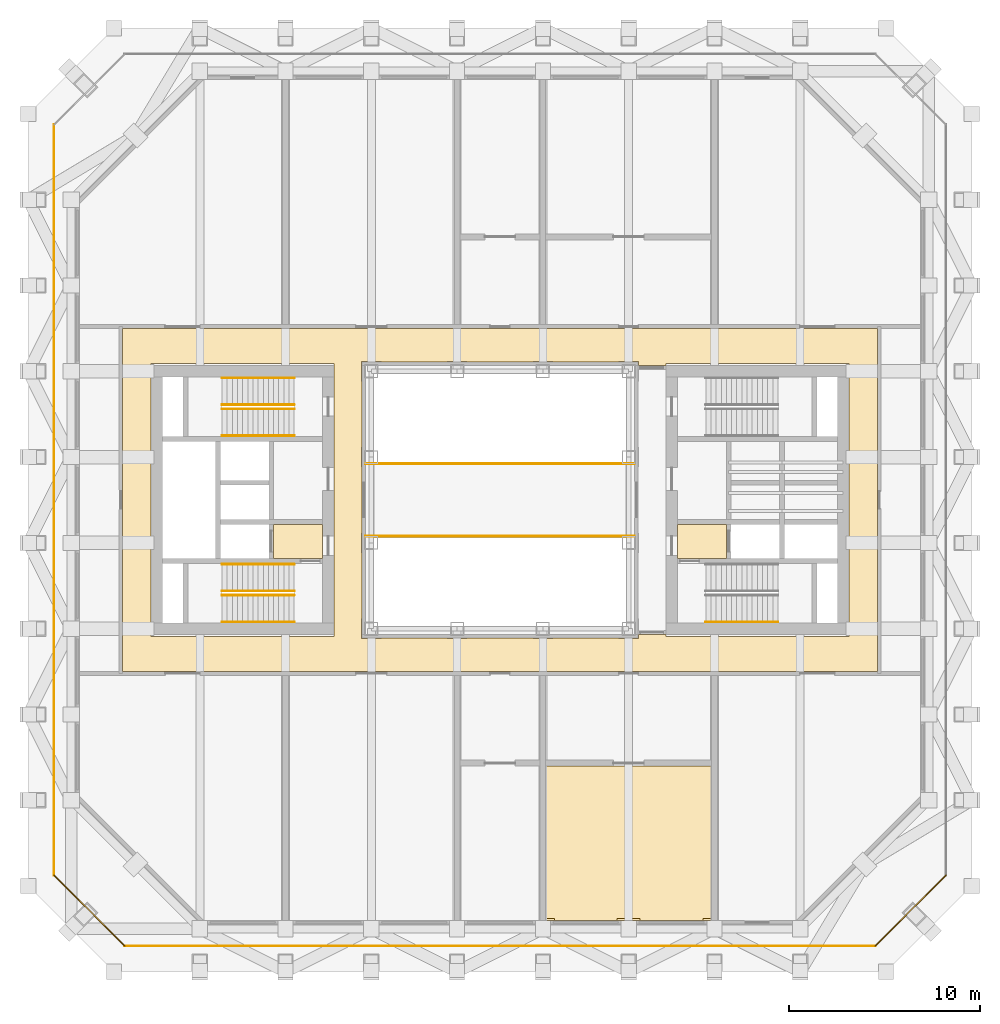
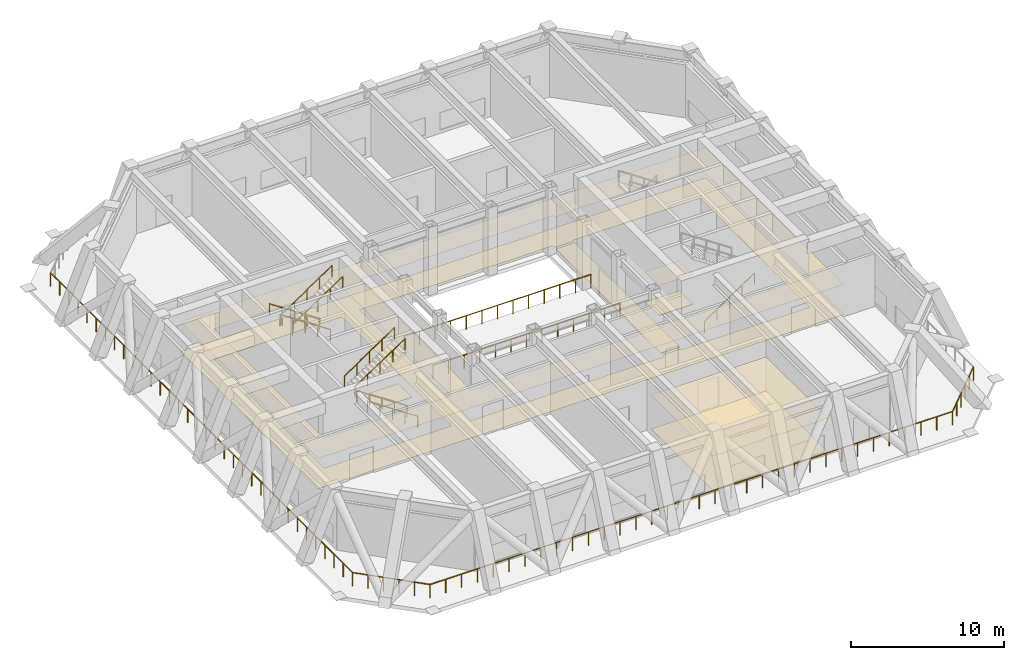
# One storey, part 8 of 9: 15 railings, 4 coverings.
"""IFC4 building model written with IfcOpenShell, lengths in metres."""

import ifcopenshell
import ifcopenshell.guid

model = None  # the IFC model being written
_history = None  # IfcOwnerHistory: only IFC2X3 demands one
_inside = {}  # id of a spatial element -> (the spatial element, [elements in it])
_under = {}  # id of a project, library or spatial element -> (it, [spatial elements below it])
_declared = {}  # id of a project -> (the project, [libraries it declares])
_typed = {}  # id of a type object -> (the type object, [elements of that type])
_made_of = {}  # id of a material, layer set ... -> (it, [elements and type objects made of it])


def new_model(schema):
    """Start an empty IFC model of exactly this schema.

    Asked for "IFC4X3", IfcOpenShell would pick the latest addendum, in which some entities
    have other attributes; the version numbers below select the first issue.
    IFC2X3 requires an IfcOwnerHistory on every rooted entity: one is made here for all.
    """
    global model, _history
    if schema == "IFC4X3":
        model = ifcopenshell.file(schema_version=(4, 3, 0, 0))
    else:
        model = ifcopenshell.file(schema=schema)
    _inside.clear()
    _under.clear()
    _declared.clear()
    _typed.clear()
    _made_of.clear()
    _history = None
    if model.schema == "IFC2X3":
        org = make("IfcOrganization", Name="unknown")
        user = make(
            "IfcPersonAndOrganization",
            ThePerson=make("IfcPerson", FamilyName="unknown"),
            TheOrganization=org,
        )
        app = make(
            "IfcApplication",
            ApplicationDeveloper=org,
            Version="unknown",
            ApplicationFullName="unknown",
            ApplicationIdentifier="unknown",
        )
        _history = make(
            "IfcOwnerHistory",
            OwningUser=user,
            OwningApplication=app,
            ChangeAction="ADDED",
            CreationDate=0,
        )
    return model


def make(cls, **values):
    """One entity of the class cls with the attributes given. An attribute that is None is left unset."""
    return model.create_entity(
        cls, **{name: value for name, value in values.items() if value is not None}
    )


def rooted(cls, **values):
    """An entity with a GlobalId (a new one), such as an element, a storey or a relation."""
    return make(cls, GlobalId=ifcopenshell.guid.new(), OwnerHistory=_history, **values)


def si_unit(unit_type, name, prefix=None):
    """IfcSIUnit, for example si_unit("LENGTHUNIT", "METRE", prefix="MILLI")."""
    return make("IfcSIUnit", UnitType=unit_type, Prefix=prefix, Name=name)


def assignment(units):
    """IfcUnitAssignment: the units of a project."""
    return None if units is None else make("IfcUnitAssignment", Units=units)


def point(xyz):
    """IfcCartesianPoint."""
    return None if xyz is None else make("IfcCartesianPoint", Coordinates=xyz)


def direction(xyz):
    """IfcDirection."""
    return None if xyz is None else make("IfcDirection", DirectionRatios=xyz)


def frame(location, z_axis=None, x_axis=None):
    """IfcAxis2Placement3D, a coordinate frame: its origin and axes. An axis left out is left unset."""
    return make(
        "IfcAxis2Placement3D",
        Location=point(location),
        Axis=direction(z_axis),
        RefDirection=direction(x_axis),
    )


def frame_2d(location, x_axis=None):
    """IfcAxis2Placement2D, a coordinate frame in the plane: its origin and x axis."""
    return make(
        "IfcAxis2Placement2D", Location=point(location), RefDirection=direction(x_axis)
    )


def origin():
    """The frame at (0, 0, 0) with its axes left unset."""
    return frame((0.0, 0.0, 0.0))


def origin_2d():
    """The frame at (0, 0) in the plane with its x axis left unset."""
    return frame_2d((0.0, 0.0))


def place(relative_to, where):
    """IfcLocalPlacement: puts the frame where relative to a parent placement (None: the world)."""
    return make(
        "IfcLocalPlacement", PlacementRelTo=relative_to, RelativePlacement=where
    )


def context(
    kind, dimensions, precision=None, world=None, true_north=None, identifier=None
):
    """IfcGeometricRepresentationContext, for example the 3D "Model" context."""
    return make(
        "IfcGeometricRepresentationContext",
        ContextIdentifier=identifier,
        ContextType=kind,
        CoordinateSpaceDimension=dimensions,
        Precision=precision,
        WorldCoordinateSystem=world,
        TrueNorth=true_north,
    )


def subcontext(parent, identifier, kind, view, scale=None):
    """IfcGeometricRepresentationSubContext, for example "Body" below "Model"."""
    return make(
        "IfcGeometricRepresentationSubContext",
        ContextIdentifier=identifier,
        ContextType=kind,
        ParentContext=parent,
        TargetScale=scale,
        TargetView=view,
    )


def project(units=None, contexts=None):
    """IfcProject with its units and contexts."""
    return rooted(
        "IfcProject",
        Name="project",
        RepresentationContexts=contexts,
        UnitsInContext=assignment(units),
    )


def spatial(cls, under=None, at=None, **own):
    """A site, building, storey or space (cls), placed at a placement, below another one or the project."""
    s = rooted(cls, ObjectPlacement=at, **own)
    if under is not None:
        _under.setdefault(under.id(), (under, []))[1].append(s)
    return s


def point_list(points):
    """IfcCartesianPointList2D or 3D."""
    cls = (
        "IfcCartesianPointList2D" if len(points[0]) == 2 else "IfcCartesianPointList3D"
    )
    return make(cls, CoordList=points)


def line(*indices):
    """IfcLineIndex: a straight run through numbered points of an indexed curve."""
    return model.create_entity("IfcLineIndex", indices)


def indexed_curve(points, segments=None, self_intersect=None):
    """IfcIndexedPolyCurve: lines and arcs through numbered points (the first is 1)."""
    return make(
        "IfcIndexedPolyCurve",
        Points=point_list(points),
        Segments=segments,
        SelfIntersect=self_intersect,
    )


def profile(cls, at=None, kind="AREA", **sizes):
    """A parametric profile (cls). Its sizes go by their IFC names, for example OverallWidth=200.0."""
    return make(cls, ProfileType=kind, Position=at, **sizes)


def circle(**sizes):
    """IfcCircleProfileDef."""
    return profile("IfcCircleProfileDef", **sizes)


def outline(outer, holes=None, kind="AREA"):
    """IfcArbitraryClosedProfileDef: a profile drawn as a closed curve; with holes, ...WithVoids."""
    if holes is None:
        return make("IfcArbitraryClosedProfileDef", ProfileType=kind, OuterCurve=outer)
    return make(
        "IfcArbitraryProfileDefWithVoids",
        ProfileType=kind,
        OuterCurve=outer,
        InnerCurves=holes,
    )


def extrude(swept, where, along, depth):
    """IfcExtrudedAreaSolid: the profile swept, set in the frame where, extruded along a direction by depth."""
    return make(
        "IfcExtrudedAreaSolid",
        SweptArea=swept,
        Position=where,
        ExtrudedDirection=direction(along),
        Depth=depth,
    )


def shape(context_of_items, identifier, shape_type, items):
    """IfcShapeRepresentation: the items that make up one representation, for example the "Body"."""
    return make(
        "IfcShapeRepresentation",
        ContextOfItems=context_of_items,
        RepresentationIdentifier=identifier,
        RepresentationType=shape_type,
        Items=items,
    )


def material(Name=None, Category=None):
    """IfcMaterial."""
    return make("IfcMaterial", Name=Name, Category=Category)


def layer(
    of_material, thickness, ventilated=None, Name=None, Category=None, Priority=None
):
    """IfcMaterialLayer: one layer of a wall or slab, of a material (None: an air gap)."""
    return make(
        "IfcMaterialLayer",
        Material=of_material,
        LayerThickness=thickness,
        IsVentilated=ventilated,
        Name=Name,
        Category=Category,
        Priority=Priority,
    )


def layer_set(layers, Name=None):
    """IfcMaterialLayerSet."""
    return make("IfcMaterialLayerSet", MaterialLayers=layers, LayerSetName=Name)


def made_of(thing, what):
    """Note that an element or type object is made of a material, layer set ...; save() writes the relation."""
    if what is not None:
        _made_of.setdefault(what.id(), (what, []))[1].append(thing)
    return thing


def type_object(cls, material=None, **own):
    """A type object (cls), such as IfcWallType, which elements share."""
    return made_of(rooted(cls, **own), material)


def element(
    cls,
    number,
    at=None,
    inside=None,
    cuts=None,
    type_object=None,
    material=None,
    context=None,
    identifier="Body",
    shape_type=None,
    held_by="IfcProductDefinitionShape",
    body=None,
    shapes=None,
    **own,
):
    """One element of the class cls, such as IfcWall. Its Tag is "e" and its number.

    at: its placement. inside: the storey or other place that contains it. cuts: it is an
    opening in that element (IfcRelVoidsElement). A single representation is given by context,
    identifier, shape_type and body (its items); several are given by shapes. held_by: the class
    of the entity that holds the representations. save() writes the other relations.
    """
    e = rooted(cls, Tag="e%d" % number, ObjectPlacement=at, **own)
    if body is not None:
        shapes = [shape(context, identifier, shape_type, body)]
    if shapes is not None:
        e.Representation = make(held_by, Representations=shapes)
    if inside is not None:
        _inside.setdefault(inside.id(), (inside, []))[1].append(e)
    if cuts is not None:
        rooted(
            "IfcRelVoidsElement", RelatingBuildingElement=cuts, RelatedOpeningElement=e
        )
    if type_object is not None:
        _typed.setdefault(type_object.id(), (type_object, []))[1].append(e)
    return made_of(e, material)


def aggregate(whole, parts):
    """IfcRelAggregates: a whole, such as a stair, and the parts it consists of."""
    return rooted("IfcRelAggregates", RelatingObject=whole, RelatedObjects=parts)


def save(model, path):
    """Write the relations noted so far, then the file.

    IfcRelAggregates (storeys below a building ...), IfcRelContainedInSpatialStructure (elements
    in a storey), IfcRelDefinesByType, IfcRelAssociatesMaterial and IfcRelDeclares: one each for
    every whole, place, type object, material and project.
    """
    for whole, parts in _under.values():
        aggregate(whole, parts)
    for where, things in _inside.values():
        rooted(
            "IfcRelContainedInSpatialStructure",
            RelatedElements=things,
            RelatingStructure=where,
        )
    for kind, things in _typed.values():
        rooted("IfcRelDefinesByType", RelatedObjects=things, RelatingType=kind)
    for what, things in _made_of.values():
        rooted("IfcRelAssociatesMaterial", RelatedObjects=things, RelatingMaterial=what)
    for by, libraries in _declared.values():
        rooted("IfcRelDeclares", RelatingContext=by, RelatedDefinitions=libraries)
    model.write(path)


model = new_model("IFC4")

# Units and contexts
model_context = context("Model", 3, precision=1e-05, world=origin(), true_north=direction((0.0, 1.0)))
body_context = subcontext(model_context, "Body", "Model", "MODEL_VIEW")
ifc_project = project(units=[si_unit("LENGTHUNIT", "METRE"), si_unit("AREAUNIT", "SQUARE_METRE"), si_unit("VOLUMEUNIT", "CUBIC_METRE"), si_unit("PLANEANGLEUNIT", "RADIAN"), si_unit("MASSUNIT", "GRAM", prefix="KILO")], contexts=[model_context])

# Site, building, storey
site_placement = place(None, origin())
site = spatial("IfcSite", under=ifc_project, at=site_placement, CompositionType="ELEMENT")
building_placement = place(site_placement, origin())
building = spatial("IfcBuilding", under=site, at=building_placement, Name="Msasa Ring Tower", CompositionType="ELEMENT")
storey_placement = place(building_placement, frame((0.0, 0.0, 107.0)))
storey = spatial("IfcBuildingStorey", under=building, at=storey_placement, Name="L28", CompositionType="ELEMENT", Elevation=107.0)

# Coverings
ifc_material_1 = material(Name="Gypsum plasterboard on a steel suspension grid", Category="steel")
ifc_layer_1 = layer(ifc_material_1, 0.014892578125)
ifc_layer_set_1 = layer_set([ifc_layer_1], Name="C1 SUSPENDED PLASTERBOARD CEILING 15")
covering_type_1 = type_object("IfcCoveringType", Name="C1 SUSPENDED PLASTERBOARD CEILING 15", PredefinedType="CEILING", material=ifc_layer_set_1)
covering_1_placement = place(storey_placement, frame((0.0, 0.0, 2.39990234375)))
element("IfcCovering", 1, at=covering_1_placement, inside=storey, type_object=covering_type_1, Name="Suspended Plasterboard Ceiling 15 circulation L28", PredefinedType="CEILING", context=body_context, shape_type="SweptSolid", body=[
    extrude(outline(indexed_curve([(-19.799560546875, -8.99951171875), (-19.799560546875, 8.99951171875), (19.799560546875, 8.99951171875), (19.799560546875, -8.99951171875)], segments=[line(1, 2, 3, 4, 1)], self_intersect=False), holes=[indexed_curve([(8.699462890625, 7.050537109375), (7.275390625, 7.050537109375), (7.275390625, 7.275390625), (6.224609375, 7.275390625), (6.224609375, 7.25048828125), (2.775390625, 7.25048828125), (2.775390625, 7.275390625), (1.724609375, 7.275390625), (1.724609375, 7.25048828125), (-1.724609375, 7.25048828125), (-1.724609375, 7.275390625), (-2.775390625, 7.275390625), (-2.775390625, 7.25048828125), (-6.224609375, 7.25048828125), (-6.224609375, 7.275390625), (-7.275390625, 7.275390625), (-7.275390625, 6.224609375), (-7.25048828125, 6.224609375), (-7.25048828125, 2.775390625), (-7.275390625, 2.775390625), (-7.275390625, 1.724609375), (-7.25048828125, 1.724609375), (-7.25048828125, -1.724609375), (-7.275390625, -1.724609375), (-7.275390625, -2.775390625), (-7.25048828125, -2.775390625), (-7.25048828125, -6.224609375), (-7.275390625, -6.224609375), (-7.275390625, -7.275390625), (-6.224609375, -7.275390625), (-6.224609375, -7.25048828125), (-2.775390625, -7.25048828125), (-2.775390625, -7.275390625), (-1.724609375, -7.275390625), (-1.724609375, -7.25048828125), (1.724609375, -7.25048828125), (1.724609375, -7.275390625), (2.775390625, -7.275390625), (2.775390625, -7.25048828125), (6.224609375, -7.25048828125), (6.224609375, -7.275390625), (7.275390625, -7.275390625), (7.275390625, -7.050537109375), (8.699462890625, -7.050537109375), (8.699462890625, -7.150390625), (18.300537109375, -7.150390625), (18.300537109375, 7.150390625), (8.699462890625, 7.150390625)], segments=[line(1, 2, 3, 4, 5, 6, 7, 8, 9, 10, 11, 12, 13, 14, 15, 16, 17, 18, 19, 20, 21, 22, 23, 24, 25, 26, 27, 28, 29, 30, 31, 32, 33, 34, 35, 36, 37, 38, 39, 40, 41, 42, 43, 44, 45, 46, 47, 48, 1)], self_intersect=False), indexed_curve([(-18.300537109375, 7.150390625), (-18.300537109375, -7.150390625), (-8.699462890625, -7.150390625), (-8.699462890625, 7.150390625)], segments=[line(1, 2, 3, 4, 1)], self_intersect=False)]), origin(), (0.0, 0.0, 1.0), 0.01513671875),
    extrude(outline(indexed_curve([(-9.300537109375, -1.275390625), (-9.300537109375, -3.074462890625), (-11.87451171875, -3.074462890625), (-11.87451171875, -1.275390625)], segments=[line(1, 2, 3, 4, 1)], self_intersect=False)), origin(), (0.0, 0.0, 1.0), 0.01513671875),
    extrude(outline(indexed_curve([(11.87451171875, -3.074462890625), (9.300537109375, -3.074462890625), (9.300537109375, -1.275390625), (11.87451171875, -1.275390625)], segments=[line(1, 2, 3, 4, 1)], self_intersect=False)), origin(), (0.0, 0.0, 1.0), 0.01513671875),
])
covering_2_placement = place(storey_placement, frame((0.0, 0.0, 2.699951171875)))
element("IfcCovering", 2, at=covering_2_placement, inside=storey, type_object=covering_type_1, Name="Suspended Plasterboard Ceiling 15 L28", PredefinedType="CEILING", context=body_context, shape_type="SweptSolid", body=[
    extrude(outline(indexed_curve([(11.089599609375, -13.96044921875), (11.089599609375, -21.963623046875), (10.6494140625, -21.963623046875), (10.6494140625, -22.049560546875), (7.3505859375, -22.049560546875), (7.3505859375, -21.963623046875), (6.1494140625, -21.963623046875), (6.1494140625, -22.049560546875), (2.8505859375, -22.049560546875), (2.8505859375, -21.963623046875), (2.410400390625, -21.963623046875), (2.410400390625, -13.96044921875)], segments=[line(1, 2, 3, 4, 5, 6, 7, 8, 9, 10, 11, 12, 1)], self_intersect=False)), origin(), (0.0, 0.0, 1.0), 0.01513671875),
])
ifc_material_2 = material(Name="Honed granite tiles on a mortar bed", Category="masonry")
ifc_layer_2 = layer(ifc_material_2, 0.030029296875)
ifc_layer_set_2 = layer_set([ifc_layer_2], Name="F1 HONED GRANITE ON BEDDING 30")
covering_type_2 = type_object("IfcCoveringType", Name="F1 HONED GRANITE ON BEDDING 30", PredefinedType="FLOORING", material=ifc_layer_set_2)
covering_3_placement = place(storey_placement, origin())
element("IfcCovering", 3, at=covering_3_placement, inside=storey, type_object=covering_type_2, Name="Honed Granite On Bedding 30 L28", PredefinedType="FLOORING", context=body_context, shape_type="SweptSolid", body=[
    extrude(outline(indexed_curve([(-9.300537109375, -3.074462890625), (-11.87451171875, -3.074462890625), (-11.87451171875, -1.275390625), (-9.300537109375, -1.275390625)], segments=[line(1, 2, 3, 4, 1)], self_intersect=False)), origin(), (0.0, 0.0, 1.0), 0.030029296875),
    extrude(outline(indexed_curve([(7.275390625, -6.849609375), (7.275390625, -6.224609375), (7.25048828125, -6.224609375), (7.25048828125, -2.775390625), (7.275390625, -2.775390625), (7.275390625, -1.724609375), (7.25048828125, -1.724609375), (7.25048828125, 1.724609375), (7.275390625, 1.724609375), (7.275390625, 2.775390625), (7.25048828125, 2.775390625), (7.25048828125, 6.224609375), (7.275390625, 6.224609375), (7.275390625, 6.849609375), (8.699462890625, 6.849609375), (8.699462890625, -6.849609375)], segments=[line(1, 2, 3, 4, 5, 6, 7, 8, 9, 10, 11, 12, 13, 14, 15, 16, 1)], self_intersect=False)), origin(), (0.0, 0.0, 1.0), 0.030029296875),
    extrude(outline(indexed_curve([(9.300537109375, -3.074462890625), (9.300537109375, -1.275390625), (11.87451171875, -1.275390625), (11.87451171875, -3.074462890625)], segments=[line(1, 2, 3, 4, 1)], self_intersect=False)), origin(), (0.0, 0.0, 1.0), 0.030029296875),
])
ifc_material_3 = material(Name="Wool-blend carpet on felt underlay", Category="textile")
ifc_layer_3 = layer(ifc_material_3, 0.011962890625)
ifc_layer_set_3 = layer_set([ifc_layer_3], Name="F2 CARPET ON UNDERLAY 12")
covering_type_3 = type_object("IfcCoveringType", Name="F2 CARPET ON UNDERLAY 12", PredefinedType="FLOORING", material=ifc_layer_set_3)
covering_4_placement = place(storey_placement, origin())
element("IfcCovering", 4, at=covering_4_placement, inside=storey, type_object=covering_type_3, Name="Carpet On Underlay 12 L28", PredefinedType="FLOORING", context=body_context, shape_type="SweptSolid", body=[
    extrude(outline(indexed_curve([(-19.799560546875, -8.99951171875), (-19.799560546875, 8.99951171875), (19.799560546875, 8.99951171875), (19.799560546875, -8.99951171875)], segments=[line(1, 2, 3, 4, 1)], self_intersect=False), holes=[indexed_curve([(8.699462890625, 7.050537109375), (7.275390625, 7.050537109375), (7.275390625, 7.275390625), (6.224609375, 7.275390625), (6.224609375, 7.25048828125), (2.775390625, 7.25048828125), (2.775390625, 7.275390625), (1.724609375, 7.275390625), (1.724609375, 7.25048828125), (-1.724609375, 7.25048828125), (-1.724609375, 7.275390625), (-2.775390625, 7.275390625), (-2.775390625, 7.25048828125), (-6.224609375, 7.25048828125), (-6.224609375, 7.275390625), (-7.275390625, 7.275390625), (-7.275390625, 6.224609375), (-7.25048828125, 6.224609375), (-7.25048828125, 2.775390625), (-7.275390625, 2.775390625), (-7.275390625, 1.724609375), (-7.25048828125, 1.724609375), (-7.25048828125, -1.724609375), (-7.275390625, -1.724609375), (-7.275390625, -2.775390625), (-7.25048828125, -2.775390625), (-7.25048828125, -6.224609375), (-7.275390625, -6.224609375), (-7.275390625, -7.275390625), (-6.224609375, -7.275390625), (-6.224609375, -7.25048828125), (-2.775390625, -7.25048828125), (-2.775390625, -7.275390625), (-1.724609375, -7.275390625), (-1.724609375, -7.25048828125), (1.724609375, -7.25048828125), (1.724609375, -7.275390625), (2.775390625, -7.275390625), (2.775390625, -7.25048828125), (6.224609375, -7.25048828125), (6.224609375, -7.275390625), (7.275390625, -7.275390625), (7.275390625, -7.050537109375), (8.699462890625, -7.050537109375), (8.699462890625, -7.150390625), (18.300537109375, -7.150390625), (18.300537109375, 7.150390625), (8.699462890625, 7.150390625)], segments=[line(1, 2, 3, 4, 5, 6, 7, 8, 9, 10, 11, 12, 13, 14, 15, 16, 17, 18, 19, 20, 21, 22, 23, 24, 25, 26, 27, 28, 29, 30, 31, 32, 33, 34, 35, 36, 37, 38, 39, 40, 41, 42, 43, 44, 45, 46, 47, 48, 1)], self_intersect=False), indexed_curve([(-18.300537109375, 7.150390625), (-18.300537109375, -7.150390625), (-8.699462890625, -7.150390625), (-8.699462890625, 7.150390625)], segments=[line(1, 2, 3, 4, 1)], self_intersect=False)]), origin(), (0.0, 0.0, 1.0), 0.011962890625),
    extrude(outline(indexed_curve([(2.410400390625, -13.96044921875), (11.089599609375, -13.96044921875), (11.089599609375, -22.049560546875), (2.410400390625, -22.049560546875)], segments=[line(1, 2, 3, 4, 1)], self_intersect=False)), origin(), (0.0, 0.0, 1.0), 0.011962890625),
])

# Railings
ifc_material_4 = material(Name="Stainless steel and laminated glass", Category="steel")
railing_type_1 = type_object("IfcRailingType", Name="GR2 TERRACE GUARD 1100", PredefinedType="GUARDRAIL", material=ifc_material_4)
railing_1_placement = place(storey_placement, frame((-19.69091796875, -23.39990234375, 0.0)))
element("IfcRailing", 5, at=railing_1_placement, inside=storey, type_object=railing_type_1, Name="Refuge terrace guard S L28", PredefinedType="GUARDRAIL", context=body_context, shape_type="SweptSolid", body=[
    extrude(circle(Radius=0.02392578125, at=origin_2d()), frame((0.0, 0.0, 1.076171875), z_axis=(1.0, 0.0, 0.0), x_axis=(0.0, 1.0, 0.0)), (0.0, 0.0, 1.0), 39.3818359375),
    extrude(circle(Radius=0.02099609375, at=origin_2d()), origin(), (0.0, 0.0, 1.0), 1.052001953125),
    extrude(circle(Radius=0.02099609375, at=origin_2d()), frame((1.193359375, 0.0, 0.0)), (0.0, 0.0, 1.0), 1.052001953125),
    extrude(circle(Radius=0.02099609375, at=origin_2d()), frame((2.38671875, 0.0, 0.0)), (0.0, 0.0, 1.0), 1.052001953125),
    extrude(circle(Radius=0.02099609375, at=origin_2d()), frame((3.580078125, 0.0, 0.0)), (0.0, 0.0, 1.0), 1.052001953125),
    extrude(circle(Radius=0.02099609375, at=origin_2d()), frame((4.7734375, 0.0, 0.0)), (0.0, 0.0, 1.0), 1.052001953125),
    extrude(circle(Radius=0.02099609375, at=origin_2d()), frame((5.967041015625, 0.0, 0.0)), (0.0, 0.0, 1.0), 1.052001953125),
    extrude(circle(Radius=0.02099609375, at=origin_2d()), frame((7.160400390625, 0.0, 0.0)), (0.0, 0.0, 1.0), 1.052001953125),
    extrude(circle(Radius=0.02099609375, at=origin_2d()), frame((8.353759765625, 0.0, 0.0)), (0.0, 0.0, 1.0), 1.052001953125),
    extrude(circle(Radius=0.02099609375, at=origin_2d()), frame((9.547119140625, 0.0, 0.0)), (0.0, 0.0, 1.0), 1.052001953125),
    extrude(circle(Radius=0.02099609375, at=origin_2d()), frame((10.740478515625, 0.0, 0.0)), (0.0, 0.0, 1.0), 1.052001953125),
    extrude(circle(Radius=0.02099609375, at=origin_2d()), frame((11.933837890625, 0.0, 0.0)), (0.0, 0.0, 1.0), 1.052001953125),
    extrude(circle(Radius=0.02099609375, at=origin_2d()), frame((13.127197265625, 0.0, 0.0)), (0.0, 0.0, 1.0), 1.052001953125),
    extrude(circle(Radius=0.02099609375, at=origin_2d()), frame((14.320556640625, 0.0, 0.0)), (0.0, 0.0, 1.0), 1.052001953125),
    extrude(circle(Radius=0.02099609375, at=origin_2d()), frame((15.51416015625, 0.0, 0.0)), (0.0, 0.0, 1.0), 1.052001953125),
    extrude(circle(Radius=0.02099609375, at=origin_2d()), frame((16.70751953125, 0.0, 0.0)), (0.0, 0.0, 1.0), 1.052001953125),
    extrude(circle(Radius=0.02099609375, at=origin_2d()), frame((17.90087890625, 0.0, 0.0)), (0.0, 0.0, 1.0), 1.052001953125),
    extrude(circle(Radius=0.02099609375, at=origin_2d()), frame((19.09423828125, 0.0, 0.0)), (0.0, 0.0, 1.0), 1.052001953125),
    extrude(circle(Radius=0.02099609375, at=origin_2d()), frame((20.28759765625, 0.0, 0.0)), (0.0, 0.0, 1.0), 1.052001953125),
    extrude(circle(Radius=0.02099609375, at=origin_2d()), frame((21.48095703125, 0.0, 0.0)), (0.0, 0.0, 1.0), 1.052001953125),
    extrude(circle(Radius=0.02099609375, at=origin_2d()), frame((22.67431640625, 0.0, 0.0)), (0.0, 0.0, 1.0), 1.052001953125),
    extrude(circle(Radius=0.02099609375, at=origin_2d()), frame((23.86767578125, 0.0, 0.0)), (0.0, 0.0, 1.0), 1.052001953125),
    extrude(circle(Radius=0.02099609375, at=origin_2d()), frame((25.061279296875, 0.0, 0.0)), (0.0, 0.0, 1.0), 1.052001953125),
    extrude(circle(Radius=0.02099609375, at=origin_2d()), frame((26.254638671875, 0.0, 0.0)), (0.0, 0.0, 1.0), 1.052001953125),
    extrude(circle(Radius=0.02099609375, at=origin_2d()), frame((27.447998046875, 0.0, 0.0)), (0.0, 0.0, 1.0), 1.052001953125),
    extrude(circle(Radius=0.02099609375, at=origin_2d()), frame((28.641357421875, 0.0, 0.0)), (0.0, 0.0, 1.0), 1.052001953125),
    extrude(circle(Radius=0.02099609375, at=origin_2d()), frame((29.834716796875, 0.0, 0.0)), (0.0, 0.0, 1.0), 1.052001953125),
    extrude(circle(Radius=0.02099609375, at=origin_2d()), frame((31.028076171875, 0.0, 0.0)), (0.0, 0.0, 1.0), 1.052001953125),
    extrude(circle(Radius=0.02099609375, at=origin_2d()), frame((32.221435546875, 0.0, 0.0)), (0.0, 0.0, 1.0), 1.052001953125),
    extrude(circle(Radius=0.02099609375, at=origin_2d()), frame((33.414794921875, 0.0, 0.0)), (0.0, 0.0, 1.0), 1.052001953125),
    extrude(circle(Radius=0.02099609375, at=origin_2d()), frame((34.6083984375, 0.0, 0.0)), (0.0, 0.0, 1.0), 1.052001953125),
    extrude(circle(Radius=0.02099609375, at=origin_2d()), frame((35.8017578125, 0.0, 0.0)), (0.0, 0.0, 1.0), 1.052001953125),
    extrude(circle(Radius=0.02099609375, at=origin_2d()), frame((36.9951171875, 0.0, 0.0)), (0.0, 0.0, 1.0), 1.052001953125),
    extrude(circle(Radius=0.02099609375, at=origin_2d()), frame((38.1884765625, 0.0, 0.0)), (0.0, 0.0, 1.0), 1.052001953125),
    extrude(circle(Radius=0.02099609375, at=origin_2d()), frame((39.3818359375, 0.0, 0.0)), (0.0, 0.0, 1.0), 1.052001953125),
])
railing_2_placement = place(storey_placement, frame((19.69091796875, -23.39990234375, 0.0)))
element("IfcRailing", 6, at=railing_2_placement, inside=storey, type_object=railing_type_1, Name="Refuge terrace guard SE L28", PredefinedType="GUARDRAIL", context=body_context, shape_type="SweptSolid", body=[
    extrude(circle(Radius=0.02392578125, at=origin_2d()), frame((0.0, 0.0, 1.076171875), z_axis=(0.707106781187, 0.707106781187, 0.0), x_axis=(-0.707106781187, 0.707106781187, 0.0)), (0.0, 0.0, 1.0), 5.245361328125),
    extrude(circle(Radius=0.02099609375, at=origin_2d()), origin(), (0.0, 0.0, 1.0), 1.052001953125),
    extrude(circle(Radius=0.02099609375, at=origin_2d()), frame((0.74169921875, 0.74169921875, 0.0)), (0.0, 0.0, 1.0), 1.052001953125),
    extrude(circle(Radius=0.02099609375, at=origin_2d()), frame((1.483642578125, 1.483642578125, 0.0)), (0.0, 0.0, 1.0), 1.052001953125),
    extrude(circle(Radius=0.02099609375, at=origin_2d()), frame((2.225341796875, 2.225341796875, 0.0)), (0.0, 0.0, 1.0), 1.052001953125),
    extrude(circle(Radius=0.02099609375, at=origin_2d()), frame((2.96728515625, 2.96728515625, 0.0)), (0.0, 0.0, 1.0), 1.052001953125),
    extrude(circle(Radius=0.02099609375, at=origin_2d()), frame((3.708984375, 3.708984375, 0.0)), (0.0, 0.0, 1.0), 1.052001953125),
])
railing_3_placement = place(storey_placement, frame((-23.39990234375, 19.69091796875, 0.0)))
element("IfcRailing", 7, at=railing_3_placement, inside=storey, type_object=railing_type_1, Name="Refuge terrace guard W L28", PredefinedType="GUARDRAIL", context=body_context, shape_type="SweptSolid", body=[
    extrude(circle(Radius=0.02392578125, at=origin_2d()), frame((0.0, 0.0, 1.076171875), z_axis=(0.0, -1.0, 0.0), x_axis=(1.0, 0.0, 0.0)), (0.0, 0.0, 1.0), 39.3818359375),
    extrude(circle(Radius=0.02099609375, at=origin_2d()), origin(), (0.0, 0.0, 1.0), 1.052001953125),
    extrude(circle(Radius=0.02099609375, at=origin_2d()), frame((0.0, -1.193359375, 0.0)), (0.0, 0.0, 1.0), 1.052001953125),
    extrude(circle(Radius=0.02099609375, at=origin_2d()), frame((0.0, -2.38671875, 0.0)), (0.0, 0.0, 1.0), 1.052001953125),
    extrude(circle(Radius=0.02099609375, at=origin_2d()), frame((0.0, -3.580078125, 0.0)), (0.0, 0.0, 1.0), 1.052001953125),
    extrude(circle(Radius=0.02099609375, at=origin_2d()), frame((0.0, -4.7734375, 0.0)), (0.0, 0.0, 1.0), 1.052001953125),
    extrude(circle(Radius=0.02099609375, at=origin_2d()), frame((0.0, -5.967041015625, 0.0)), (0.0, 0.0, 1.0), 1.052001953125),
    extrude(circle(Radius=0.02099609375, at=origin_2d()), frame((0.0, -7.160400390625, 0.0)), (0.0, 0.0, 1.0), 1.052001953125),
    extrude(circle(Radius=0.02099609375, at=origin_2d()), frame((0.0, -8.353759765625, 0.0)), (0.0, 0.0, 1.0), 1.052001953125),
    extrude(circle(Radius=0.02099609375, at=origin_2d()), frame((0.0, -9.547119140625, 0.0)), (0.0, 0.0, 1.0), 1.052001953125),
    extrude(circle(Radius=0.02099609375, at=origin_2d()), frame((0.0, -10.740478515625, 0.0)), (0.0, 0.0, 1.0), 1.052001953125),
    extrude(circle(Radius=0.02099609375, at=origin_2d()), frame((0.0, -11.933837890625, 0.0)), (0.0, 0.0, 1.0), 1.052001953125),
    extrude(circle(Radius=0.02099609375, at=origin_2d()), frame((0.0, -13.127197265625, 0.0)), (0.0, 0.0, 1.0), 1.052001953125),
    extrude(circle(Radius=0.02099609375, at=origin_2d()), frame((0.0, -14.320556640625, 0.0)), (0.0, 0.0, 1.0), 1.052001953125),
    extrude(circle(Radius=0.02099609375, at=origin_2d()), frame((0.0, -15.51416015625, 0.0)), (0.0, 0.0, 1.0), 1.052001953125),
    extrude(circle(Radius=0.02099609375, at=origin_2d()), frame((0.0, -16.70751953125, 0.0)), (0.0, 0.0, 1.0), 1.052001953125),
    extrude(circle(Radius=0.02099609375, at=origin_2d()), frame((0.0, -17.90087890625, 0.0)), (0.0, 0.0, 1.0), 1.052001953125),
    extrude(circle(Radius=0.02099609375, at=origin_2d()), frame((0.0, -19.09423828125, 0.0)), (0.0, 0.0, 1.0), 1.052001953125),
    extrude(circle(Radius=0.02099609375, at=origin_2d()), frame((0.0, -20.28759765625, 0.0)), (0.0, 0.0, 1.0), 1.052001953125),
    extrude(circle(Radius=0.02099609375, at=origin_2d()), frame((0.0, -21.48095703125, 0.0)), (0.0, 0.0, 1.0), 1.052001953125),
    extrude(circle(Radius=0.02099609375, at=origin_2d()), frame((0.0, -22.67431640625, 0.0)), (0.0, 0.0, 1.0), 1.052001953125),
    extrude(circle(Radius=0.02099609375, at=origin_2d()), frame((0.0, -23.86767578125, 0.0)), (0.0, 0.0, 1.0), 1.052001953125),
    extrude(circle(Radius=0.02099609375, at=origin_2d()), frame((0.0, -25.061279296875, 0.0)), (0.0, 0.0, 1.0), 1.052001953125),
    extrude(circle(Radius=0.02099609375, at=origin_2d()), frame((0.0, -26.254638671875, 0.0)), (0.0, 0.0, 1.0), 1.052001953125),
    extrude(circle(Radius=0.02099609375, at=origin_2d()), frame((0.0, -27.447998046875, 0.0)), (0.0, 0.0, 1.0), 1.052001953125),
    extrude(circle(Radius=0.02099609375, at=origin_2d()), frame((0.0, -28.641357421875, 0.0)), (0.0, 0.0, 1.0), 1.052001953125),
    extrude(circle(Radius=0.02099609375, at=origin_2d()), frame((0.0, -29.834716796875, 0.0)), (0.0, 0.0, 1.0), 1.052001953125),
    extrude(circle(Radius=0.02099609375, at=origin_2d()), frame((0.0, -31.028076171875, 0.0)), (0.0, 0.0, 1.0), 1.052001953125),
    extrude(circle(Radius=0.02099609375, at=origin_2d()), frame((0.0, -32.221435546875, 0.0)), (0.0, 0.0, 1.0), 1.052001953125),
    extrude(circle(Radius=0.02099609375, at=origin_2d()), frame((0.0, -33.414794921875, 0.0)), (0.0, 0.0, 1.0), 1.052001953125),
    extrude(circle(Radius=0.02099609375, at=origin_2d()), frame((0.0, -34.6083984375, 0.0)), (0.0, 0.0, 1.0), 1.052001953125),
    extrude(circle(Radius=0.02099609375, at=origin_2d()), frame((0.0, -35.8017578125, 0.0)), (0.0, 0.0, 1.0), 1.052001953125),
    extrude(circle(Radius=0.02099609375, at=origin_2d()), frame((0.0, -36.9951171875, 0.0)), (0.0, 0.0, 1.0), 1.052001953125),
    extrude(circle(Radius=0.02099609375, at=origin_2d()), frame((0.0, -38.1884765625, 0.0)), (0.0, 0.0, 1.0), 1.052001953125),
    extrude(circle(Radius=0.02099609375, at=origin_2d()), frame((0.0, -39.3818359375, 0.0)), (0.0, 0.0, 1.0), 1.052001953125),
])
railing_4_placement = place(storey_placement, frame((-23.39990234375, -19.69091796875, 0.0)))
element("IfcRailing", 8, at=railing_4_placement, inside=storey, type_object=railing_type_1, Name="Refuge terrace guard SW L28", PredefinedType="GUARDRAIL", context=body_context, shape_type="SweptSolid", body=[
    extrude(circle(Radius=0.02392578125, at=origin_2d()), frame((0.0, 0.0, 1.076171875), z_axis=(0.707106781187, -0.707106781187, 0.0), x_axis=(0.707106781187, 0.707106781187, 0.0)), (0.0, 0.0, 1.0), 5.245361328125),
    extrude(circle(Radius=0.02099609375, at=origin_2d()), origin(), (0.0, 0.0, 1.0), 1.052001953125),
    extrude(circle(Radius=0.02099609375, at=origin_2d()), frame((0.74169921875, -0.74169921875, 0.0)), (0.0, 0.0, 1.0), 1.052001953125),
    extrude(circle(Radius=0.02099609375, at=origin_2d()), frame((1.483642578125, -1.483642578125, 0.0)), (0.0, 0.0, 1.0), 1.052001953125),
    extrude(circle(Radius=0.02099609375, at=origin_2d()), frame((2.225341796875, -2.225341796875, 0.0)), (0.0, 0.0, 1.0), 1.052001953125),
    extrude(circle(Radius=0.02099609375, at=origin_2d()), frame((2.96728515625, -2.96728515625, 0.0)), (0.0, 0.0, 1.0), 1.052001953125),
    extrude(circle(Radius=0.02099609375, at=origin_2d()), frame((3.708984375, -3.708984375, 0.0)), (0.0, 0.0, 1.0), 1.052001953125),
])
railing_5_placement = place(storey_placement, frame((-7.050048828125, -1.89990234375, 0.0)))
element("IfcRailing", 9, at=railing_5_placement, inside=storey, type_object=railing_type_1, Name="Well bridge guard -1.90 L28", PredefinedType="GUARDRAIL", context=body_context, shape_type="SweptSolid", body=[
    extrude(circle(Radius=0.02392578125, at=origin_2d()), frame((0.0, 0.0, 1.076171875), z_axis=(1.0, 0.0, 0.0), x_axis=(0.0, 1.0, 0.0)), (0.0, 0.0, 1.0), 14.10009765625),
    extrude(circle(Radius=0.02099609375, at=origin_2d()), origin(), (0.0, 0.0, 1.0), 1.052001953125),
    extrude(circle(Radius=0.02099609375, at=origin_2d()), frame((1.175048828125, 0.0, 0.0)), (0.0, 0.0, 1.0), 1.052001953125),
    extrude(circle(Radius=0.02099609375, at=origin_2d()), frame((2.35009765625, 0.0, 0.0)), (0.0, 0.0, 1.0), 1.052001953125),
    extrude(circle(Radius=0.02099609375, at=origin_2d()), frame((3.52490234375, 0.0, 0.0)), (0.0, 0.0, 1.0), 1.052001953125),
    extrude(circle(Radius=0.02099609375, at=origin_2d()), frame((4.699951171875, 0.0, 0.0)), (0.0, 0.0, 1.0), 1.052001953125),
    extrude(circle(Radius=0.02099609375, at=origin_2d()), frame((5.875, 0.0, 0.0)), (0.0, 0.0, 1.0), 1.052001953125),
    extrude(circle(Radius=0.02099609375, at=origin_2d()), frame((7.050048828125, 0.0, 0.0)), (0.0, 0.0, 1.0), 1.052001953125),
    extrude(circle(Radius=0.02099609375, at=origin_2d()), frame((8.22509765625, 0.0, 0.0)), (0.0, 0.0, 1.0), 1.052001953125),
    extrude(circle(Radius=0.02099609375, at=origin_2d()), frame((9.400146484375, 0.0, 0.0)), (0.0, 0.0, 1.0), 1.052001953125),
    extrude(circle(Radius=0.02099609375, at=origin_2d()), frame((10.5751953125, 0.0, 0.0)), (0.0, 0.0, 1.0), 1.052001953125),
    extrude(circle(Radius=0.02099609375, at=origin_2d()), frame((11.75, 0.0, 0.0)), (0.0, 0.0, 1.0), 1.052001953125),
    extrude(circle(Radius=0.02099609375, at=origin_2d()), frame((12.925048828125, 0.0, 0.0)), (0.0, 0.0, 1.0), 1.052001953125),
    extrude(circle(Radius=0.02099609375, at=origin_2d()), frame((14.10009765625, 0.0, 0.0)), (0.0, 0.0, 1.0), 1.052001953125),
])
railing_6_placement = place(storey_placement, frame((-7.050048828125, 1.89990234375, 0.0)))
element("IfcRailing", 10, at=railing_6_placement, inside=storey, type_object=railing_type_1, Name="Well bridge guard +1.90 L28", PredefinedType="GUARDRAIL", context=body_context, shape_type="SweptSolid", body=[
    extrude(circle(Radius=0.02392578125, at=origin_2d()), frame((0.0, 0.0, 1.076171875), z_axis=(1.0, 0.0, 0.0), x_axis=(0.0, 1.0, 0.0)), (0.0, 0.0, 1.0), 14.10009765625),
    extrude(circle(Radius=0.02099609375, at=origin_2d()), origin(), (0.0, 0.0, 1.0), 1.052001953125),
    extrude(circle(Radius=0.02099609375, at=origin_2d()), frame((1.175048828125, 0.0, 0.0)), (0.0, 0.0, 1.0), 1.052001953125),
    extrude(circle(Radius=0.02099609375, at=origin_2d()), frame((2.35009765625, 0.0, 0.0)), (0.0, 0.0, 1.0), 1.052001953125),
    extrude(circle(Radius=0.02099609375, at=origin_2d()), frame((3.52490234375, 0.0, 0.0)), (0.0, 0.0, 1.0), 1.052001953125),
    extrude(circle(Radius=0.02099609375, at=origin_2d()), frame((4.699951171875, 0.0, 0.0)), (0.0, 0.0, 1.0), 1.052001953125),
    extrude(circle(Radius=0.02099609375, at=origin_2d()), frame((5.875, 0.0, 0.0)), (0.0, 0.0, 1.0), 1.052001953125),
    extrude(circle(Radius=0.02099609375, at=origin_2d()), frame((7.050048828125, 0.0, 0.0)), (0.0, 0.0, 1.0), 1.052001953125),
    extrude(circle(Radius=0.02099609375, at=origin_2d()), frame((8.22509765625, 0.0, 0.0)), (0.0, 0.0, 1.0), 1.052001953125),
    extrude(circle(Radius=0.02099609375, at=origin_2d()), frame((9.400146484375, 0.0, 0.0)), (0.0, 0.0, 1.0), 1.052001953125),
    extrude(circle(Radius=0.02099609375, at=origin_2d()), frame((10.5751953125, 0.0, 0.0)), (0.0, 0.0, 1.0), 1.052001953125),
    extrude(circle(Radius=0.02099609375, at=origin_2d()), frame((11.75, 0.0, 0.0)), (0.0, 0.0, 1.0), 1.052001953125),
    extrude(circle(Radius=0.02099609375, at=origin_2d()), frame((12.925048828125, 0.0, 0.0)), (0.0, 0.0, 1.0), 1.052001953125),
    extrude(circle(Radius=0.02099609375, at=origin_2d()), frame((14.10009765625, 0.0, 0.0)), (0.0, 0.0, 1.0), 1.052001953125),
])
ifc_material_5 = material(Name="Stainless steel", Category="steel")
railing_type_2 = type_object("IfcRailingType", Name="HR1 HANDRAIL 900", PredefinedType="HANDRAIL", material=ifc_material_5)
railing_7_placement = place(storey_placement, frame((10.800048828125, -6.39990234375, 0.179931640625)))
element("IfcRailing", 11, at=railing_7_placement, inside=storey, type_object=railing_type_2, Name="Handrail stair SEA L28 1", PredefinedType="HANDRAIL", context=body_context, shape_type="SweptSolid", body=[
    extrude(circle(Radius=0.02392578125, at=origin_2d()), frame((0.0, 0.0, 0.8759765625), z_axis=(0.832050294338, 0.0, 0.554700196225), x_axis=(0.0, 1.0, 0.0)), (0.0, 0.0, 1.0), 4.54296875),
    extrude(circle(Radius=0.02099609375, at=origin_2d()), origin(), (0.0, 0.0, 1.0), 0.851806640625),
    extrude(circle(Radius=0.02099609375, at=origin_2d()), frame((0.945068359375, 0.0, 0.6298828125)), (0.0, 0.0, 1.0), 0.851806640625),
    extrude(circle(Radius=0.02099609375, at=origin_2d()), frame((1.89013671875, 0.0, 1.260009765625)), (0.0, 0.0, 1.0), 0.851806640625),
    extrude(circle(Radius=0.02099609375, at=origin_2d()), frame((2.8349609375, 0.0, 1.89013671875)), (0.0, 0.0, 1.0), 0.851806640625),
    extrude(circle(Radius=0.02099609375, at=origin_2d()), frame((3.780029296875, 0.0, 2.52001953125)), (0.0, 0.0, 1.0), 0.851806640625),
])
for number, where, name in (
    (12, (-10.800048828125, -6.39990234375, 0.179931640625), "Handrail stair SWA L28 1"),
    (13, (-10.800048828125, -5.0, 0.179931640625), "Handrail stair SWA L28 2"),
):
    element("IfcRailing", number, at=place(storey_placement, frame(where)), inside=storey, type_object=railing_type_2, Name=name, PredefinedType="HANDRAIL", context=body_context, shape_type="SweptSolid", body=[
        extrude(circle(Radius=0.02392578125, at=origin_2d()), frame((0.0, 0.0, 0.8759765625), z_axis=(-0.832050294338, 0.0, 0.554700196225), x_axis=(0.0, -1.0, 0.0)), (0.0, 0.0, 1.0), 4.54296875),
        extrude(circle(Radius=0.02099609375, at=origin_2d()), origin(), (0.0, 0.0, 1.0), 0.851806640625),
        extrude(circle(Radius=0.02099609375, at=origin_2d()), frame((-0.945068359375, 0.0, 0.6298828125)), (0.0, 0.0, 1.0), 0.851806640625),
        extrude(circle(Radius=0.02099609375, at=origin_2d()), frame((-1.89013671875, 0.0, 1.260009765625)), (0.0, 0.0, 1.0), 0.851806640625),
        extrude(circle(Radius=0.02099609375, at=origin_2d()), frame((-2.8349609375, 0.0, 1.89013671875)), (0.0, 0.0, 1.0), 0.851806640625),
        extrude(circle(Radius=0.02099609375, at=origin_2d()), frame((-3.780029296875, 0.0, 2.52001953125)), (0.0, 0.0, 1.0), 0.851806640625),
    ])
for number, where, name in (
    (14, (-14.580078125, -4.77490234375, 2.8798828125), "Handrail stair SWA L28 3"),
    (15, (-14.580078125, -3.375, 2.8798828125), "Handrail stair SWA L28 4"),
):
    element("IfcRailing", number, at=place(storey_placement, frame(where)), inside=storey, type_object=railing_type_2, Name=name, PredefinedType="HANDRAIL", context=body_context, shape_type="SweptSolid", body=[
        extrude(circle(Radius=0.02392578125, at=origin_2d()), frame((0.0, 0.0, 0.8759765625), z_axis=(0.832050294338, 0.0, 0.554700196225), x_axis=(0.0, 1.0, 0.0)), (0.0, 0.0, 1.0), 4.54296875),
        extrude(circle(Radius=0.02099609375, at=origin_2d()), origin(), (0.0, 0.0, 1.0), 0.851806640625),
        extrude(circle(Radius=0.02099609375, at=origin_2d()), frame((0.945068359375, 0.0, 0.6298828125)), (0.0, 0.0, 1.0), 0.851806640625),
        extrude(circle(Radius=0.02099609375, at=origin_2d()), frame((1.89013671875, 0.0, 1.260009765625)), (0.0, 0.0, 1.0), 0.851806640625),
        extrude(circle(Radius=0.02099609375, at=origin_2d()), frame((2.8349609375, 0.0, 1.89013671875)), (0.0, 0.0, 1.0), 0.851806640625),
        extrude(circle(Radius=0.02099609375, at=origin_2d()), frame((3.780029296875, 0.0, 2.52001953125)), (0.0, 0.0, 1.0), 0.851806640625),
    ])
for number, where, name in (
    (16, (-10.800048828125, 5.0, 0.179931640625), "Handrail stair SWB L28 1"),
    (17, (-10.800048828125, 6.39990234375, 0.179931640625), "Handrail stair SWB L28 2"),
):
    element("IfcRailing", number, at=place(storey_placement, frame(where)), inside=storey, type_object=railing_type_2, Name=name, PredefinedType="HANDRAIL", context=body_context, shape_type="SweptSolid", body=[
        extrude(circle(Radius=0.02392578125, at=origin_2d()), frame((0.0, 0.0, 0.8759765625), z_axis=(-0.832050294338, 0.0, 0.554700196225), x_axis=(0.0, -1.0, 0.0)), (0.0, 0.0, 1.0), 4.54296875),
        extrude(circle(Radius=0.02099609375, at=origin_2d()), origin(), (0.0, 0.0, 1.0), 0.851806640625),
        extrude(circle(Radius=0.02099609375, at=origin_2d()), frame((-0.945068359375, 0.0, 0.6298828125)), (0.0, 0.0, 1.0), 0.851806640625),
        extrude(circle(Radius=0.02099609375, at=origin_2d()), frame((-1.89013671875, 0.0, 1.260009765625)), (0.0, 0.0, 1.0), 0.851806640625),
        extrude(circle(Radius=0.02099609375, at=origin_2d()), frame((-2.8349609375, 0.0, 1.89013671875)), (0.0, 0.0, 1.0), 0.851806640625),
        extrude(circle(Radius=0.02099609375, at=origin_2d()), frame((-3.780029296875, 0.0, 2.52001953125)), (0.0, 0.0, 1.0), 0.851806640625),
    ])
for number, where, name in (
    (18, (-14.580078125, 3.375, 2.8798828125), "Handrail stair SWB L28 3"),
    (19, (-14.580078125, 4.77490234375, 2.8798828125), "Handrail stair SWB L28 4"),
):
    element("IfcRailing", number, at=place(storey_placement, frame(where)), inside=storey, type_object=railing_type_2, Name=name, PredefinedType="HANDRAIL", context=body_context, shape_type="SweptSolid", body=[
        extrude(circle(Radius=0.02392578125, at=origin_2d()), frame((0.0, 0.0, 0.8759765625), z_axis=(0.832050294338, 0.0, 0.554700196225), x_axis=(0.0, 1.0, 0.0)), (0.0, 0.0, 1.0), 4.54296875),
        extrude(circle(Radius=0.02099609375, at=origin_2d()), origin(), (0.0, 0.0, 1.0), 0.851806640625),
        extrude(circle(Radius=0.02099609375, at=origin_2d()), frame((0.945068359375, 0.0, 0.6298828125)), (0.0, 0.0, 1.0), 0.851806640625),
        extrude(circle(Radius=0.02099609375, at=origin_2d()), frame((1.89013671875, 0.0, 1.260009765625)), (0.0, 0.0, 1.0), 0.851806640625),
        extrude(circle(Radius=0.02099609375, at=origin_2d()), frame((2.8349609375, 0.0, 1.89013671875)), (0.0, 0.0, 1.0), 0.851806640625),
        extrude(circle(Radius=0.02099609375, at=origin_2d()), frame((3.780029296875, 0.0, 2.52001953125)), (0.0, 0.0, 1.0), 0.851806640625),
    ])

save(model, "model.ifc")
